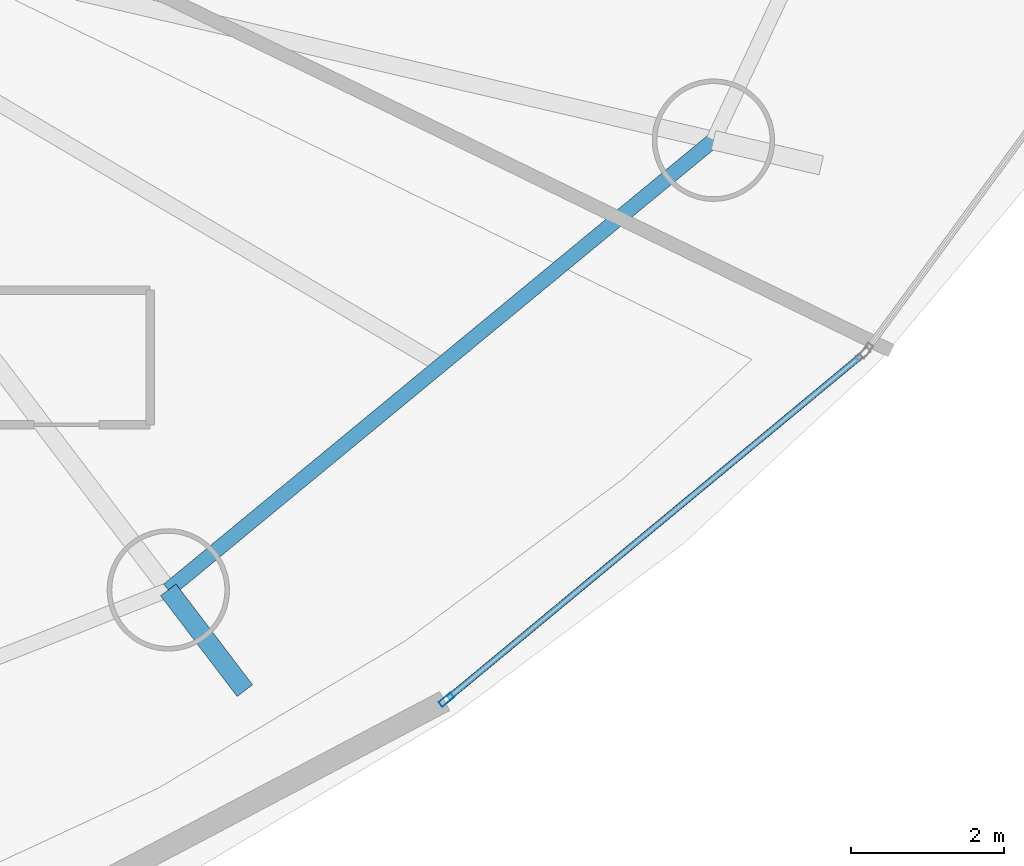
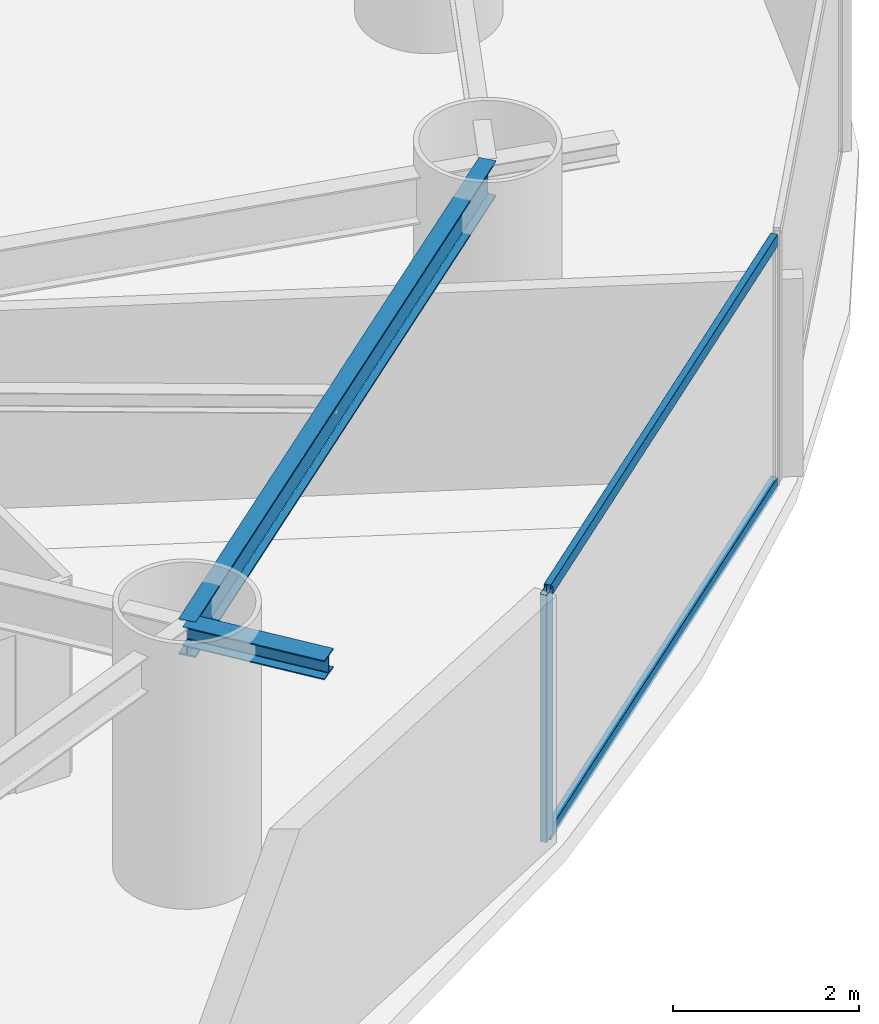
# One storey, part 6 of 20: 3 members, 2 beams, 1 element without a shape of its own.
"""IFC4 building model written with IfcOpenShell, lengths in metres."""

from ifc_helpers import new_model, si_unit, direction, frame, origin, origin_2d, place, context, subcontext, project, spatial, hollow_rectangle, i_section, extrude, material, layer, layer_set, material_profile, profile_set, type_object, element, aggregate, save


model = new_model("IFC4")

# Units and contexts
model_context = context("Model", 3, precision=1e-05, world=origin(), true_north=direction((0.0, 1.0)))
body_context = subcontext(model_context, "Body", "Model", "MODEL_VIEW")
ifc_project = project(units=[si_unit("LENGTHUNIT", "METRE"), si_unit("AREAUNIT", "SQUARE_METRE"), si_unit("VOLUMEUNIT", "CUBIC_METRE"), si_unit("PLANEANGLEUNIT", "RADIAN"), si_unit("MASSUNIT", "GRAM", prefix="KILO")], contexts=[model_context])

# Site, building, storey
site_placement = place(None, origin())
site = spatial("IfcSite", under=ifc_project, at=site_placement, CompositionType="ELEMENT")
building_placement = place(site_placement, origin())
building = spatial("IfcBuilding", under=site, at=building_placement, Name="Bramvorn Convention Spire", CompositionType="ELEMENT")
storey_placement = place(building_placement, frame((0.0, 0.0, 58.89990234375)))
storey = spatial("IfcBuildingStorey", under=building, at=storey_placement, Name="L12", CompositionType="ELEMENT", Elevation=58.89990234375)

# Beams
ifc_material_1 = material(Name="Steel CSA G40.21 Grade 350 (350W)", Category="steel")
ifc_material_profile_1 = material_profile(ifc_material_1, i_section(OverallWidth=0.25390625, OverallDepth=0.2529296875, WebThickness=0.008544921875, FlangeThickness=0.01416015625, FilletRadius=0.011962890625, at=origin_2d()))
ifc_profile_set_1 = profile_set([ifc_material_profile_1], Name="Steel CSA G40.21 Grade 350 (350W) - W250X73")
beam_type_1 = type_object("IfcBeamType", Name="BM-W250X73", PredefinedType="BEAM", material=ifc_profile_set_1)
beam_1_placement = place(storey_placement, frame((56.227783203125, 9.371337890625, 3.12353515625), z_axis=(0.605202938218, -0.796071230213, 0.0), x_axis=(0.796071230213, 0.605202938218, 0.0)))
element("IfcBeam", 1, at=beam_1_placement, inside=storey, type_object=beam_type_1, Name="L12 slab-edge cantilever tip beam MC15", PredefinedType="BEAM", context=body_context, shape_type="SweptSolid", body=[
    extrude(i_section(OverallWidth=0.25390625, OverallDepth=0.2529296875, WebThickness=0.008544921875, FlangeThickness=0.01416015625, FilletRadius=0.011962890625, at=origin_2d()), origin(), (0.0, 0.0, 1.0), 1.6552734375),
])
ifc_material_profile_2 = material_profile(ifc_material_1, i_section(OverallWidth=0.194091796875, OverallDepth=0.468994140625, WebThickness=0.0126953125, FlangeThickness=0.0205078125, FilletRadius=0.01806640625, at=origin_2d()))
ifc_profile_set_2 = profile_set([ifc_material_profile_2], Name="Steel CSA G40.21 Grade 350 (350W) - W460X106")
beam_type_2 = type_object("IfcBeamType", Name="BM-W460X106", PredefinedType="SPANDREL", material=ifc_profile_set_2)
beam_2_placement = place(storey_placement, frame((56.227783203125, 9.371337890625, 3.015625), z_axis=(0.771417680101, 0.636329130896, 0.0), x_axis=(-0.636329130896, 0.771417680101, 0.0)))
element("IfcBeam", 2, at=beam_2_placement, inside=storey, type_object=beam_type_2, Name="L12 mega-column ring beam 15", PredefinedType="SPANDREL", context=body_context, shape_type="SweptSolid", body=[
    extrude(i_section(OverallWidth=0.194091796875, OverallDepth=0.468994140625, WebThickness=0.0126953125, FlangeThickness=0.0205078125, FilletRadius=0.01806640625, at=origin_2d()), origin(), (0.0, 0.0, 1.0), 9.244140625),
])

# Curtain wall, members
ifc_material_2 = material(Name="Anodised Bronze Unitised Curtain Wall", Category="aluminium")
ifc_layer = layer(ifc_material_2, 0.179931640625)
ifc_layer_set = layer_set([ifc_layer], Name="Anodised Bronze Unitised Curtain Wall - CW-HTL-FRIT")
curtain_wall_type = type_object("IfcCurtainWallType", Name="CW-HTL-FRIT", PredefinedType="USERDEFINED", material=ifc_layer_set)
curtain_wall_placement = place(storey_placement, origin())
curtain_wall = element("IfcCurtainWall", 3, at=curtain_wall_placement, inside=storey, type_object=curtain_wall_type, Name="L12 fritted glass curtain wall 22", ObjectType="UNITISED CURTAIN WALL", PredefinedType="USERDEFINED")
ifc_material_3 = material(Name="Anodised Bronze Aluminium 6063-T6", Category="aluminium")
ifc_material_profile_3 = material_profile(ifc_material_3, hollow_rectangle(XDim=0.080078125, YDim=0.199951171875, WallThickness=0.00390625, InnerFilletRadius=0.0009765625, OuterFilletRadius=0.00390625, at=origin_2d()))
ifc_profile_set_3 = profile_set([ifc_material_profile_3], Name="Anodised Bronze Aluminium 6063-T6 - CWM80X200")
member_type_1 = type_object("IfcMemberType", Name="CW-MUL-180", PredefinedType="MULLION", material=ifc_profile_set_3)
member_1_placement = place(storey_placement, frame((59.865478515625, 7.935302734375, 0.0), z_axis=(0.0, 0.0, 1.0), x_axis=(0.638261410331, -0.769819701022, 0.0)))
member_1 = element("IfcMember", 4, at=member_1_placement, type_object=member_type_1, Name="CW2 mullion 2", PredefinedType="MULLION", context=body_context, shape_type="SweptSolid", body=[
    extrude(hollow_rectangle(XDim=0.080078125, YDim=0.199951171875, WallThickness=0.00390625, InnerFilletRadius=0.0009765625, OuterFilletRadius=0.00390625, at=origin_2d()), origin(), (0.0, 0.0, 1.0), 3.25),
])
ifc_material_profile_4 = material_profile(ifc_material_3, hollow_rectangle(XDim=0.080078125, YDim=0.159912109375, WallThickness=0.00390625, InnerFilletRadius=0.0009765625, OuterFilletRadius=0.00390625, at=origin_2d()))
ifc_profile_set_4 = profile_set([ifc_material_profile_4], Name="Anodised Bronze Aluminium 6063-T6 - CWT80X160")
member_type_2 = type_object("IfcMemberType", Name="CW-TRN-150", PredefinedType="USERDEFINED", material=ifc_profile_set_4)
member_2_placement = place(storey_placement, frame((65.294921875, 12.43701171875, 0.030029296875), z_axis=(-0.769828780717, -0.638250458973, 0.0), x_axis=(0.638250458973, -0.769828780717, 0.0)))
member_2 = element("IfcMember", 5, at=member_2_placement, type_object=member_type_2, Name="CW2 transom 1.1", ObjectType="TRANSOM", PredefinedType="USERDEFINED", context=body_context, shape_type="SweptSolid", body=[
    extrude(hollow_rectangle(XDim=0.080078125, YDim=0.159912109375, WallThickness=0.00390625, InnerFilletRadius=0.0009765625, OuterFilletRadius=0.00390625, at=origin_2d()), origin(), (0.0, 0.0, 1.0), 7.02294921875),
])
member_3_placement = place(storey_placement, frame((65.294921875, 12.43701171875, 3.22021484375), z_axis=(-0.769828780717, -0.638250458973, 0.0), x_axis=(0.638250458973, -0.769828780717, 0.0)))
member_3 = element("IfcMember", 6, at=member_3_placement, type_object=member_type_2, Name="CW2 transom 1.2", ObjectType="TRANSOM", PredefinedType="USERDEFINED", context=body_context, shape_type="SweptSolid", body=[
    extrude(hollow_rectangle(XDim=0.080078125, YDim=0.159912109375, WallThickness=0.00390625, InnerFilletRadius=0.0009765625, OuterFilletRadius=0.00390625, at=origin_2d()), origin(), (0.0, 0.0, 1.0), 7.02294921875),
])
aggregate(curtain_wall, [member_1, member_2, member_3])

save(model, "model.ifc")
